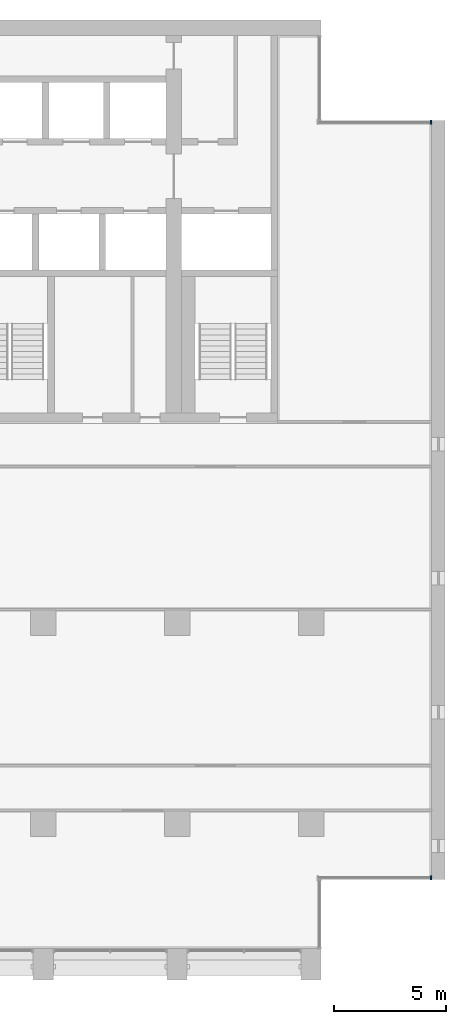
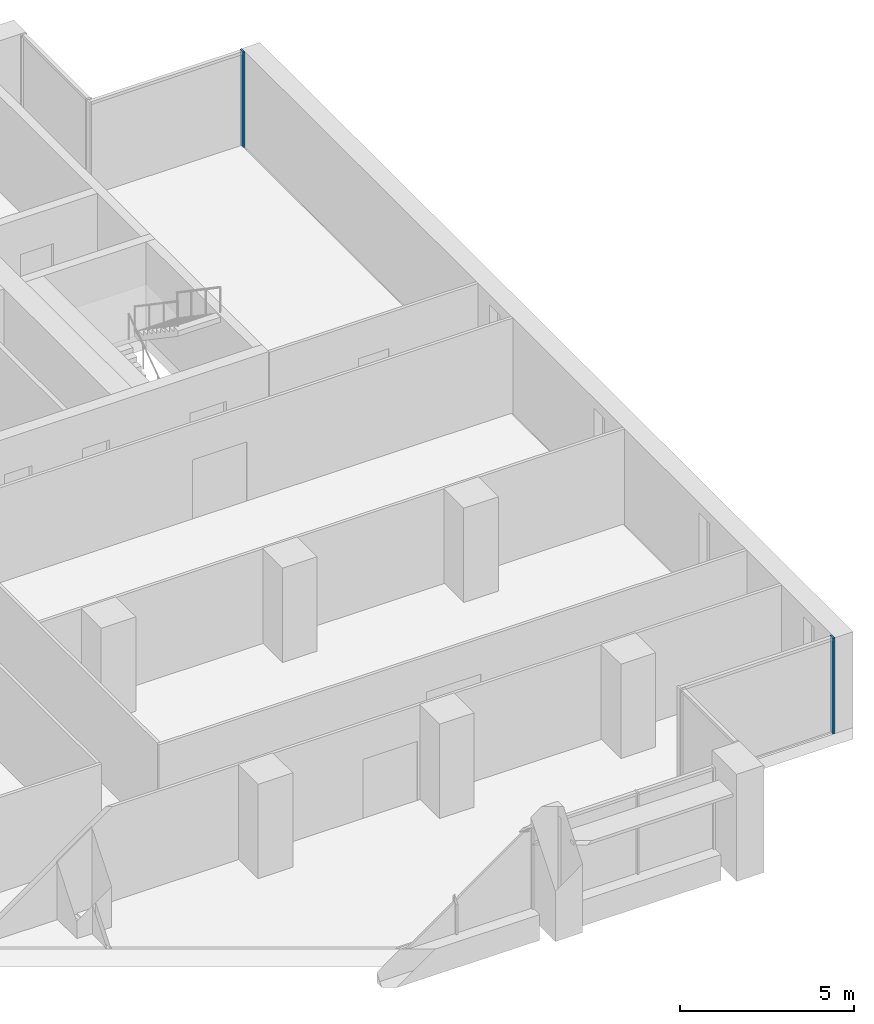
# One storey, part 6 of 16: 2 members, 2 elements without a shape of their own.
"""IFC4 building model written with IfcOpenShell, lengths in metres."""

from ifc_helpers import new_model, si_unit, direction, frame, origin, origin_2d, place, context, subcontext, project, spatial, rectangle, extrude, material, material_profile, profile_set, type_object, element, aggregate, save


model = new_model("IFC4")

# Units and contexts
model_context = context("Model", 3, precision=1e-05, world=origin(), true_north=direction((0.0, 1.0)))
body_context = subcontext(model_context, "Body", "Model", "MODEL_VIEW")
ifc_project = project(units=[si_unit("LENGTHUNIT", "METRE"), si_unit("AREAUNIT", "SQUARE_METRE"), si_unit("VOLUMEUNIT", "CUBIC_METRE"), si_unit("PLANEANGLEUNIT", "RADIAN"), si_unit("MASSUNIT", "GRAM", prefix="KILO")], contexts=[model_context])

# Site, building, storey
site_placement = place(None, origin())
site = spatial("IfcSite", under=ifc_project, at=site_placement, CompositionType="ELEMENT")
building_placement = place(site_placement, origin())
building = spatial("IfcBuilding", under=site, at=building_placement, Name="Calvaro Tower", CompositionType="ELEMENT")
storey_placement = place(building_placement, frame((0.0, 0.0, 178.0)))
storey = spatial("IfcBuildingStorey", under=building, at=storey_placement, Name="L44", CompositionType="ELEMENT", Elevation=178.0)

# Curtain wall, member
ifc_material_1 = material(Name="Anodised aluminium", Category="aluminium")
curtain_wall_type = type_object("IfcCurtainWallType", Name="Office curtain wall, upper zone", PredefinedType="NOTDEFINED", material=ifc_material_1)
curtain_wall_1_placement = place(storey_placement, origin())
curtain_wall_1 = element("IfcCurtainWall", 1, at=curtain_wall_1_placement, inside=storey, type_object=curtain_wall_type, Name="CW3 corner curtain wall", PredefinedType="NOTDEFINED")
ifc_material_2 = material(Name="Anodised aluminium", Category="aluminium")
ifc_material_profile = material_profile(ifc_material_2, rectangle(XDim=0.179931640625, YDim=0.06005859375, at=origin_2d()), Name="Mullion S3 60 x 180")
ifc_profile_set = profile_set([ifc_material_profile], Name="Anodised aluminium")
member_type = type_object("IfcMemberType", Name="Mullion S3 60 x 180", PredefinedType="MULLION", material=ifc_profile_set)
member_1_placement = place(storey_placement, frame((71.3701171875, 7.590087890625, 0.0), z_axis=(0.0, 0.0, 1.0), x_axis=(0.0, 1.0, 0.0)))
member_1 = element("IfcMember", 2, at=member_1_placement, type_object=member_type, Name="CW3 mullion 2", PredefinedType="MULLION", context=body_context, shape_type="SweptSolid", body=[
    extrude(rectangle(XDim=0.179931640625, YDim=0.06005859375, at=origin_2d()), origin(), (0.0, 0.0, 1.0), 3.35009765625),
])
aggregate(curtain_wall_1, [member_1])

curtain_wall_2_placement = place(storey_placement, origin())
curtain_wall_2 = element("IfcCurtainWall", 3, at=curtain_wall_2_placement, inside=storey, type_object=curtain_wall_type, Name="CW3 corner curtain wall", PredefinedType="NOTDEFINED")
member_2_placement = place(storey_placement, frame((71.3701171875, 41.409912109375, 0.0), z_axis=(0.0, 0.0, 1.0), x_axis=(0.0, 1.0, 0.0)))
member_2 = element("IfcMember", 4, at=member_2_placement, type_object=member_type, Name="CW3 mullion 2", PredefinedType="MULLION", context=body_context, shape_type="SweptSolid", body=[
    extrude(rectangle(XDim=0.179931640625, YDim=0.06005859375, at=origin_2d()), origin(), (0.0, 0.0, 1.0), 3.35009765625),
])
aggregate(curtain_wall_2, [member_2])

save(model, "model.ifc")
